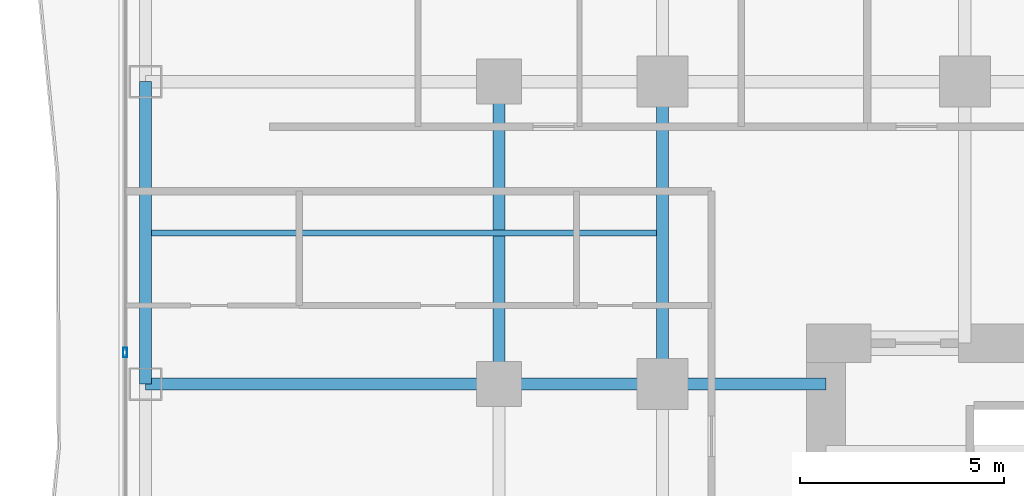
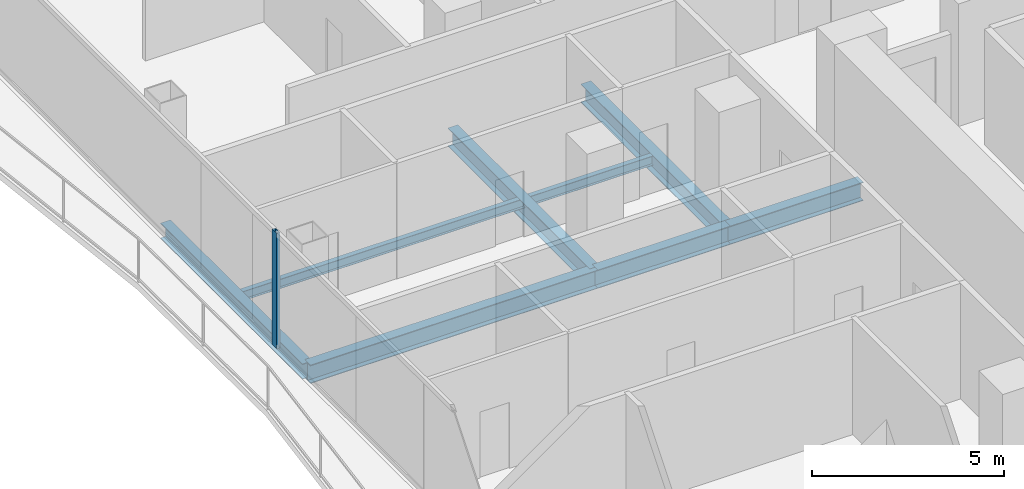
# One storey, part 7 of 32: 7 beams, 1 member, 1 element without a shape of its own.
"""IFC4 building model written with IfcOpenShell, lengths in metres."""

from ifc_helpers import new_model, si_unit, direction, frame, origin, origin_2d, place, context, subcontext, project, spatial, hollow_rectangle, i_section, extrude, material, layer, layer_set, material_profile, profile_set, type_object, element, aggregate, save


model = new_model("IFC4")

# Units and contexts
model_context = context("Model", 3, precision=1e-05, world=origin(), true_north=direction((0.0, 1.0)))
body_context = subcontext(model_context, "Body", "Model", "MODEL_VIEW")
ifc_project = project(units=[si_unit("LENGTHUNIT", "METRE"), si_unit("AREAUNIT", "SQUARE_METRE"), si_unit("VOLUMEUNIT", "CUBIC_METRE"), si_unit("PLANEANGLEUNIT", "RADIAN"), si_unit("MASSUNIT", "GRAM", prefix="KILO")], contexts=[model_context])

# Site, building, storey
site_placement = place(None, origin())
site = spatial("IfcSite", under=ifc_project, at=site_placement, CompositionType="ELEMENT")
building_placement = place(site_placement, origin())
building = spatial("IfcBuilding", under=site, at=building_placement, Name="Khorvyn Point Tower", CompositionType="ELEMENT")
storey_placement = place(building_placement, frame((0.0, 0.0, 93.0)))
storey = spatial("IfcBuildingStorey", under=building, at=storey_placement, Name="L23", CompositionType="ELEMENT", Elevation=93.0)

# Curtain wall, member
ifc_material_1 = material(Name="Anodised aluminium 6063-T6 and laminated Low-E glass", Category="aluminium")
ifc_layer = layer(ifc_material_1, 0.18994140625)
ifc_layer_set = layer_set([ifc_layer], Name="Stick-Built Finned Residential Curtain Wall CW-SYS-02")
curtain_wall_type = type_object("IfcCurtainWallType", Name="Stick-Built Finned Residential Curtain Wall CW-SYS-02", PredefinedType="NOTDEFINED", material=ifc_layer_set)
curtain_wall_placement = place(storey_placement, origin())
curtain_wall = element("IfcCurtainWall", 1, at=curtain_wall_placement, inside=storey, type_object=curtain_wall_type, Name="Curtain Wall", PredefinedType="NOTDEFINED")
ifc_material_2 = material(Name="Anodised aluminium 6063-T6", Category="aluminium")
ifc_material_profile_1 = material_profile(ifc_material_2, hollow_rectangle(XDim=0.10009765625, YDim=0.239990234375, WallThickness=0.0048828125, at=origin_2d()))
ifc_profile_set_1 = profile_set([ifc_material_profile_1], Name="Anodised aluminium 6063-T6 ALU-MUL-100x240")
member_type = type_object("IfcMemberType", Name="Anodised Aluminium 6063-T6 Mullion ALU-MUL-100x240", PredefinedType="MULLION", material=ifc_profile_set_1)
member_placement = place(storey_placement, frame((-27.949951171875, 8.175048828125, 0.0), z_axis=(0.0, 0.0, 1.0), x_axis=(-1.0, 0.0, 0.0)))
member = element("IfcMember", 2, at=member_placement, type_object=member_type, Name="Transom", PredefinedType="MULLION", context=body_context, shape_type="SweptSolid", body=[
    extrude(hollow_rectangle(XDim=0.10009765625, YDim=0.239990234375, WallThickness=0.0048828125, at=origin_2d()), origin(), (0.0, 0.0, 1.0), 3.679931640625),
])
aggregate(curtain_wall, [member])

# Beams
ifc_material_3 = material(Name="Steel S355", Category="steel")
ifc_material_profile_2 = material_profile(ifc_material_3, i_section(OverallWidth=0.300048828125, OverallDepth=0.587890625, WebThickness=0.011962890625, FlangeThickness=0.02001953125, at=origin_2d()))
ifc_profile_set_2 = profile_set([ifc_material_profile_2], Name="Steel S355 H588x300x12x20")
beam_type_1 = type_object("IfcBeamType", Name="Steel S355 Beam H588x300x12x20", PredefinedType="BEAM", material=ifc_profile_set_2)
beam_1_placement = place(storey_placement, frame((-27.449951171875, 7.39990234375, -0.513916015625), z_axis=(1.0, 0.0, 0.0), x_axis=(0.0, 1.0, 0.0)))
element("IfcBeam", 3, at=beam_1_placement, inside=storey, type_object=beam_type_1, Name="Beam", PredefinedType="BEAM", context=body_context, shape_type="SweptSolid", body=[
    extrude(i_section(OverallWidth=0.300048828125, OverallDepth=0.587890625, WebThickness=0.011962890625, FlangeThickness=0.02001953125, at=origin_2d()), origin(), (0.0, 0.0, 1.0), 8.64990234375),
])
for number, where, z_axis, x_axis, name in (
    (4, (-18.800048828125, 7.39990234375, -0.513916015625), (1.0, 0.0, 0.0), (0.0, 1.0, 0.0), "Beam"),
    (5, (-14.800048828125, 7.39990234375, -0.513916015625), (1.0, 0.0, 0.0), (0.0, 1.0, 0.0), "Beam"),
):
    element("IfcBeam", number, at=place(storey_placement, frame(where, z_axis=z_axis, x_axis=x_axis)), inside=storey, type_object=beam_type_1, Name=name, PredefinedType="BEAM", context=body_context, shape_type="SweptSolid", body=[
        extrude(i_section(OverallWidth=0.300048828125, OverallDepth=0.587890625, WebThickness=0.011962890625, FlangeThickness=0.02001953125, at=origin_2d()), origin(), (0.0, 0.0, 1.0), 4.0),
    ])
for number, where, z_axis, x_axis, name in (
    (6, (-14.800048828125, 7.39990234375, -0.513916015625), (0.0, 1.0, 0.0), (-1.0, 0.0, 0.0), "Beam"),
    (7, (-18.800048828125, 7.39990234375, -0.513916015625), (0.0, 1.0, 0.0), (-1.0, 0.0, 0.0), "Beam"),
):
    element("IfcBeam", number, at=place(storey_placement, frame(where, z_axis=z_axis, x_axis=x_axis)), inside=storey, type_object=beam_type_1, Name=name, PredefinedType="BEAM", context=body_context, shape_type="SweptSolid", body=[
        extrude(i_section(OverallWidth=0.300048828125, OverallDepth=0.587890625, WebThickness=0.011962890625, FlangeThickness=0.02001953125, at=origin_2d()), origin(), (0.0, 0.0, 1.0), 7.400146484375),
    ])
ifc_material_profile_3 = material_profile(ifc_material_3, i_section(OverallWidth=0.14990234375, OverallDepth=0.300048828125, WebThickness=0.006591796875, FlangeThickness=0.009033203125, at=origin_2d()))
ifc_profile_set_3 = profile_set([ifc_material_profile_3], Name="Steel S355 H300x150x6.5x9")
beam_type_2 = type_object("IfcBeamType", Name="Steel S355 Joist H300x150x6.5x9", PredefinedType="JOIST", material=ifc_profile_set_3)
beam_2_placement = place(storey_placement, frame((-27.300048828125, 11.10009765625, -0.3701171875), z_axis=(1.0, 0.0, 0.0), x_axis=(0.0, 1.0, 0.0)))
element("IfcBeam", 8, at=beam_2_placement, inside=storey, type_object=beam_type_2, Name="Beam", PredefinedType="JOIST", context=body_context, shape_type="SweptSolid", body=[
    extrude(i_section(OverallWidth=0.14990234375, OverallDepth=0.300048828125, WebThickness=0.006591796875, FlangeThickness=0.009033203125, at=origin_2d()), origin(), (0.0, 0.0, 1.0), 12.35009765625),
])
ifc_material_profile_4 = material_profile(ifc_material_3, i_section(OverallWidth=0.300048828125, OverallDepth=0.488037109375, WebThickness=0.010986328125, FlangeThickness=0.01806640625, at=origin_2d()))
ifc_profile_set_4 = profile_set([ifc_material_profile_4], Name="Steel S355 H488x300x11x18")
beam_type_3 = type_object("IfcBeamType", Name="Steel S355 Spandrel H488x300x11x18", PredefinedType="SPANDREL", material=ifc_profile_set_4)
beam_3_placement = place(storey_placement, frame((-27.449951171875, 7.39990234375, -0.464111328125), z_axis=(0.0, 1.0, 0.0), x_axis=(-1.0, 0.0, 0.0)))
element("IfcBeam", 9, at=beam_3_placement, inside=storey, type_object=beam_type_3, Name="Beam", PredefinedType="SPANDREL", context=body_context, shape_type="SweptSolid", body=[
    extrude(i_section(OverallWidth=0.300048828125, OverallDepth=0.488037109375, WebThickness=0.010986328125, FlangeThickness=0.01806640625, at=origin_2d()), origin(), (0.0, 0.0, 1.0), 7.400146484375),
])

save(model, "model.ifc")
